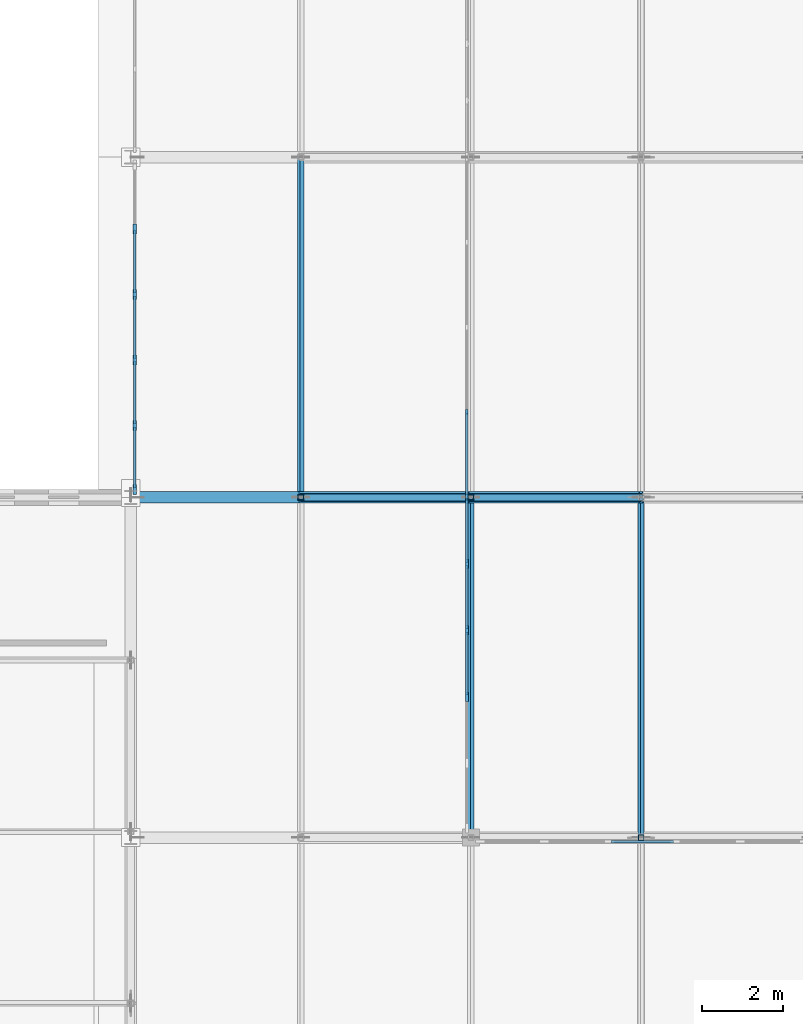
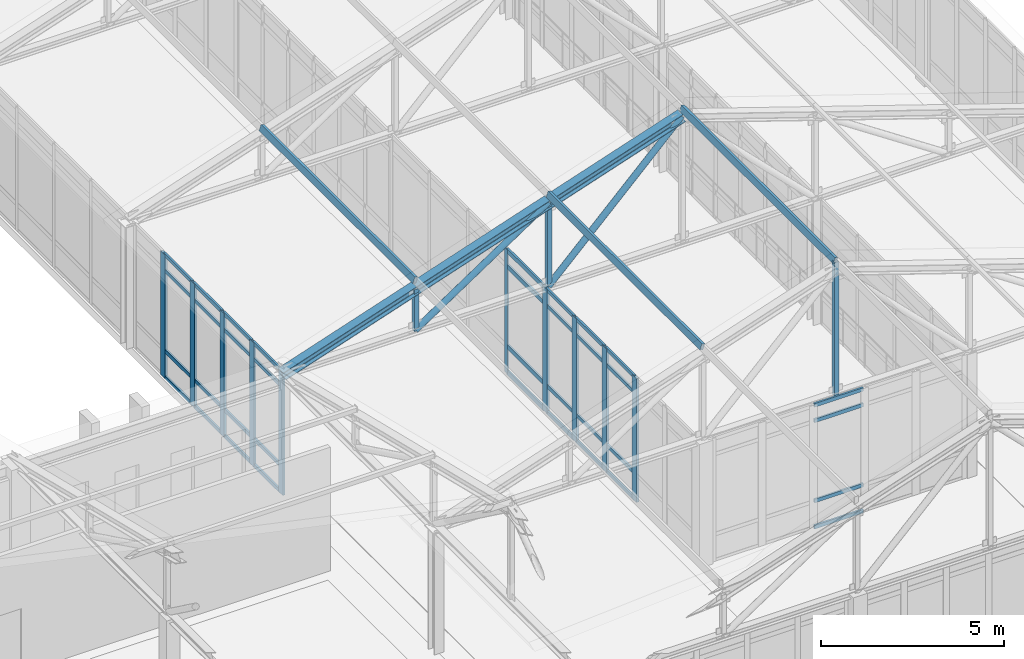
# One storey, part 40 of 192: 58 members, 4 elements without a shape of their own.
"""IFC4 building model written with IfcOpenShell, lengths in metres."""

import ifcopenshell
import ifcopenshell.guid

model = None  # the IFC model being written
_history = None  # IfcOwnerHistory: only IFC2X3 demands one
_inside = {}  # id of a spatial element -> (the spatial element, [elements in it])
_under = {}  # id of a project, library or spatial element -> (it, [spatial elements below it])
_declared = {}  # id of a project -> (the project, [libraries it declares])
_typed = {}  # id of a type object -> (the type object, [elements of that type])
_made_of = {}  # id of a material, layer set ... -> (it, [elements and type objects made of it])


def new_model(schema):
    """Start an empty IFC model of exactly this schema.

    Asked for "IFC4X3", IfcOpenShell would pick the latest addendum, in which some entities
    have other attributes; the version numbers below select the first issue.
    IFC2X3 requires an IfcOwnerHistory on every rooted entity: one is made here for all.
    """
    global model, _history
    if schema == "IFC4X3":
        model = ifcopenshell.file(schema_version=(4, 3, 0, 0))
    else:
        model = ifcopenshell.file(schema=schema)
    _inside.clear()
    _under.clear()
    _declared.clear()
    _typed.clear()
    _made_of.clear()
    _history = None
    if model.schema == "IFC2X3":
        org = make("IfcOrganization", Name="unknown")
        user = make(
            "IfcPersonAndOrganization",
            ThePerson=make("IfcPerson", FamilyName="unknown"),
            TheOrganization=org,
        )
        app = make(
            "IfcApplication",
            ApplicationDeveloper=org,
            Version="unknown",
            ApplicationFullName="unknown",
            ApplicationIdentifier="unknown",
        )
        _history = make(
            "IfcOwnerHistory",
            OwningUser=user,
            OwningApplication=app,
            ChangeAction="ADDED",
            CreationDate=0,
        )
    return model


def make(cls, **values):
    """One entity of the class cls with the attributes given. An attribute that is None is left unset."""
    return model.create_entity(
        cls, **{name: value for name, value in values.items() if value is not None}
    )


def rooted(cls, **values):
    """An entity with a GlobalId (a new one), such as an element, a storey or a relation."""
    return make(cls, GlobalId=ifcopenshell.guid.new(), OwnerHistory=_history, **values)


def si_unit(unit_type, name, prefix=None):
    """IfcSIUnit, for example si_unit("LENGTHUNIT", "METRE", prefix="MILLI")."""
    return make("IfcSIUnit", UnitType=unit_type, Prefix=prefix, Name=name)


def assignment(units):
    """IfcUnitAssignment: the units of a project."""
    return None if units is None else make("IfcUnitAssignment", Units=units)


def point(xyz):
    """IfcCartesianPoint."""
    return None if xyz is None else make("IfcCartesianPoint", Coordinates=xyz)


def direction(xyz):
    """IfcDirection."""
    return None if xyz is None else make("IfcDirection", DirectionRatios=xyz)


def frame(location, z_axis=None, x_axis=None):
    """IfcAxis2Placement3D, a coordinate frame: its origin and axes. An axis left out is left unset."""
    return make(
        "IfcAxis2Placement3D",
        Location=point(location),
        Axis=direction(z_axis),
        RefDirection=direction(x_axis),
    )


def frame_2d(location, x_axis=None):
    """IfcAxis2Placement2D, a coordinate frame in the plane: its origin and x axis."""
    return make(
        "IfcAxis2Placement2D", Location=point(location), RefDirection=direction(x_axis)
    )


def origin():
    """The frame at (0, 0, 0) with its axes left unset."""
    return frame((0.0, 0.0, 0.0))


def origin_2d():
    """The frame at (0, 0) in the plane with its x axis left unset."""
    return frame_2d((0.0, 0.0))


def place(relative_to, where):
    """IfcLocalPlacement: puts the frame where relative to a parent placement (None: the world)."""
    return make(
        "IfcLocalPlacement", PlacementRelTo=relative_to, RelativePlacement=where
    )


def context(
    kind, dimensions, precision=None, world=None, true_north=None, identifier=None
):
    """IfcGeometricRepresentationContext, for example the 3D "Model" context."""
    return make(
        "IfcGeometricRepresentationContext",
        ContextIdentifier=identifier,
        ContextType=kind,
        CoordinateSpaceDimension=dimensions,
        Precision=precision,
        WorldCoordinateSystem=world,
        TrueNorth=true_north,
    )


def subcontext(parent, identifier, kind, view, scale=None):
    """IfcGeometricRepresentationSubContext, for example "Body" below "Model"."""
    return make(
        "IfcGeometricRepresentationSubContext",
        ContextIdentifier=identifier,
        ContextType=kind,
        ParentContext=parent,
        TargetScale=scale,
        TargetView=view,
    )


def project(units=None, contexts=None):
    """IfcProject with its units and contexts."""
    return rooted(
        "IfcProject",
        Name="project",
        RepresentationContexts=contexts,
        UnitsInContext=assignment(units),
    )


def spatial(cls, under=None, at=None, **own):
    """A site, building, storey or space (cls), placed at a placement, below another one or the project."""
    s = rooted(cls, ObjectPlacement=at, **own)
    if under is not None:
        _under.setdefault(under.id(), (under, []))[1].append(s)
    return s


def profile(cls, at=None, kind="AREA", **sizes):
    """A parametric profile (cls). Its sizes go by their IFC names, for example OverallWidth=200.0."""
    return make(cls, ProfileType=kind, Position=at, **sizes)


def rectangle(**sizes):
    """IfcRectangleProfileDef."""
    return profile("IfcRectangleProfileDef", **sizes)


def hollow_rectangle(**sizes):
    """IfcRectangleHollowProfileDef."""
    return profile("IfcRectangleHollowProfileDef", **sizes)


def hollow_circle(**sizes):
    """IfcCircleHollowProfileDef."""
    return profile("IfcCircleHollowProfileDef", **sizes)


def i_section(**sizes):
    """IfcIShapeProfileDef."""
    return profile("IfcIShapeProfileDef", **sizes)


def extrude(swept, where, along, depth):
    """IfcExtrudedAreaSolid: the profile swept, set in the frame where, extruded along a direction by depth."""
    return make(
        "IfcExtrudedAreaSolid",
        SweptArea=swept,
        Position=where,
        ExtrudedDirection=direction(along),
        Depth=depth,
    )


def shape(context_of_items, identifier, shape_type, items):
    """IfcShapeRepresentation: the items that make up one representation, for example the "Body"."""
    return make(
        "IfcShapeRepresentation",
        ContextOfItems=context_of_items,
        RepresentationIdentifier=identifier,
        RepresentationType=shape_type,
        Items=items,
    )


def material(Name=None, Category=None):
    """IfcMaterial."""
    return make("IfcMaterial", Name=Name, Category=Category)


def layer(
    of_material, thickness, ventilated=None, Name=None, Category=None, Priority=None
):
    """IfcMaterialLayer: one layer of a wall or slab, of a material (None: an air gap)."""
    return make(
        "IfcMaterialLayer",
        Material=of_material,
        LayerThickness=thickness,
        IsVentilated=ventilated,
        Name=Name,
        Category=Category,
        Priority=Priority,
    )


def layer_set(layers, Name=None):
    """IfcMaterialLayerSet."""
    return make("IfcMaterialLayerSet", MaterialLayers=layers, LayerSetName=Name)


def material_profile(
    of_material, cross_section, Name=None, Category=None, Priority=None
):
    """IfcMaterialProfile: a cross section and its material."""
    return make(
        "IfcMaterialProfile",
        Name=Name,
        Material=of_material,
        Profile=cross_section,
        Priority=Priority,
        Category=Category,
    )


def profile_set(profiles, Name=None, composite=None):
    """IfcMaterialProfileSet."""
    return make(
        "IfcMaterialProfileSet",
        Name=Name,
        MaterialProfiles=profiles,
        CompositeProfile=composite,
    )


def made_of(thing, what):
    """Note that an element or type object is made of a material, layer set ...; save() writes the relation."""
    if what is not None:
        _made_of.setdefault(what.id(), (what, []))[1].append(thing)
    return thing


def type_object(cls, material=None, **own):
    """A type object (cls), such as IfcWallType, which elements share."""
    return made_of(rooted(cls, **own), material)


def element(
    cls,
    number,
    at=None,
    inside=None,
    cuts=None,
    type_object=None,
    material=None,
    context=None,
    identifier="Body",
    shape_type=None,
    held_by="IfcProductDefinitionShape",
    body=None,
    shapes=None,
    **own,
):
    """One element of the class cls, such as IfcWall. Its Tag is "e" and its number.

    at: its placement. inside: the storey or other place that contains it. cuts: it is an
    opening in that element (IfcRelVoidsElement). A single representation is given by context,
    identifier, shape_type and body (its items); several are given by shapes. held_by: the class
    of the entity that holds the representations. save() writes the other relations.
    """
    e = rooted(cls, Tag="e%d" % number, ObjectPlacement=at, **own)
    if body is not None:
        shapes = [shape(context, identifier, shape_type, body)]
    if shapes is not None:
        e.Representation = make(held_by, Representations=shapes)
    if inside is not None:
        _inside.setdefault(inside.id(), (inside, []))[1].append(e)
    if cuts is not None:
        rooted(
            "IfcRelVoidsElement", RelatingBuildingElement=cuts, RelatedOpeningElement=e
        )
    if type_object is not None:
        _typed.setdefault(type_object.id(), (type_object, []))[1].append(e)
    return made_of(e, material)


def aggregate(whole, parts):
    """IfcRelAggregates: a whole, such as a stair, and the parts it consists of."""
    return rooted("IfcRelAggregates", RelatingObject=whole, RelatedObjects=parts)


def save(model, path):
    """Write the relations noted so far, then the file.

    IfcRelAggregates (storeys below a building ...), IfcRelContainedInSpatialStructure (elements
    in a storey), IfcRelDefinesByType, IfcRelAssociatesMaterial and IfcRelDeclares: one each for
    every whole, place, type object, material and project.
    """
    for whole, parts in _under.values():
        aggregate(whole, parts)
    for where, things in _inside.values():
        rooted(
            "IfcRelContainedInSpatialStructure",
            RelatedElements=things,
            RelatingStructure=where,
        )
    for kind, things in _typed.values():
        rooted("IfcRelDefinesByType", RelatedObjects=things, RelatingType=kind)
    for what, things in _made_of.values():
        rooted("IfcRelAssociatesMaterial", RelatedObjects=things, RelatingMaterial=what)
    for by, libraries in _declared.values():
        rooted("IfcRelDeclares", RelatingContext=by, RelatedDefinitions=libraries)
    model.write(path)


model = new_model("IFC4")

# Units and contexts
model_context = context("Model", 3, precision=1e-05, world=origin(), true_north=direction((0.0, 1.0)))
body_context = subcontext(model_context, "Body", "Model", "MODEL_VIEW")
ifc_project = project(units=[si_unit("LENGTHUNIT", "METRE"), si_unit("AREAUNIT", "SQUARE_METRE"), si_unit("VOLUMEUNIT", "CUBIC_METRE"), si_unit("PLANEANGLEUNIT", "RADIAN"), si_unit("MASSUNIT", "GRAM", prefix="KILO")], contexts=[model_context])

# Site, building, storey
site_placement = place(None, origin())
site = spatial("IfcSite", under=ifc_project, at=site_placement, CompositionType="ELEMENT")
building_placement = place(site_placement, origin())
building = spatial("IfcBuilding", under=site, at=building_placement, Name="Kveldsbrygga Polytechnic", CompositionType="ELEMENT")
storey_placement = place(building_placement, frame((0.0, 0.0, 5.43994140625)))
storey = spatial("IfcBuildingStorey", under=building, at=storey_placement, Name="L01", CompositionType="ELEMENT", Elevation=5.43994140625)

# Curtain wall, members
ifc_material_1 = material(Name="Anodised aluminium AW-6060", Category="aluminium")
ifc_layer_1 = layer(ifc_material_1, 0.199951171875)
ifc_layer_set_1 = layer_set([ifc_layer_1], Name="Anodised aluminium AW-6060")
curtain_wall_type_1 = type_object("IfcCurtainWallType", Name="CW-LANC-E", PredefinedType="USERDEFINED", material=ifc_layer_set_1)
curtain_wall_1_placement = place(storey_placement, origin())
curtain_wall_1 = element("IfcCurtainWall", 1, at=curtain_wall_1_placement, inside=storey, type_object=curtain_wall_type_1, Name="Curtain Wall CW-L01-Y-07-03", ObjectType="UNITISED CURTAIN WALL", PredefinedType="USERDEFINED")
ifc_material_profile_1 = material_profile(ifc_material_1, rectangle(XDim=0.06005859375, YDim=0.139892578125, at=origin_2d()), Name="ALU 60x140")
ifc_profile_set_1 = profile_set([ifc_material_profile_1], Name="Anodised aluminium AW-6060")
member_type_1 = type_object("IfcMemberType", Name="CW-MUL-140", PredefinedType="MULLION", material=ifc_profile_set_1)
member_1_placement = place(storey_placement, frame((58.699951171875, 25.22998046875, 0.0), z_axis=(0.0, 0.0, 1.0), x_axis=(-1.0, 0.0, 0.0)))
member_1 = element("IfcMember", 2, at=member_1_placement, type_object=member_type_1, Name="CW-05 mullion 1", PredefinedType="MULLION", context=body_context, shape_type="SweptSolid", body=[
    extrude(rectangle(XDim=0.06005859375, YDim=0.139892578125, at=origin_2d()), origin(), (0.0, 0.0, 1.0), 4.1201171875),
])
member_2_placement = place(storey_placement, frame((58.699951171875, 27.300048828125, 0.0), z_axis=(0.0, 0.0, 1.0), x_axis=(-1.0, 0.0, 0.0)))
member_2 = element("IfcMember", 3, at=member_2_placement, type_object=member_type_1, Name="CW-05 mullion 2", PredefinedType="MULLION", context=body_context, shape_type="SweptSolid", body=[
    extrude(rectangle(XDim=0.06005859375, YDim=0.139892578125, at=origin_2d()), origin(), (0.0, 0.0, 1.0), 4.1201171875),
])

ifc_layer_2 = layer(ifc_material_1, 0.179931640625)
ifc_layer_set_2 = layer_set([ifc_layer_2], Name="Anodised aluminium AW-6060")
curtain_wall_type_2 = type_object("IfcCurtainWallType", Name="CW-LANC-D", PredefinedType="USERDEFINED", material=ifc_layer_set_2)
curtain_wall_2_placement = place(storey_placement, origin())
curtain_wall_2 = element("IfcCurtainWall", 4, at=curtain_wall_2_placement, inside=storey, type_object=curtain_wall_type_2, Name="Curtain Wall CW-L01-Y-07-02", ObjectType="UNITISED CURTAIN WALL", PredefinedType="USERDEFINED")
ifc_material_profile_2 = material_profile(ifc_material_1, rectangle(XDim=0.074951171875, YDim=0.239990234375, at=origin_2d()), Name="ALU 75x240")
ifc_profile_set_2 = profile_set([ifc_material_profile_2], Name="Anodised aluminium AW-6060")
member_type_2 = type_object("IfcMemberType", Name="CW-MUL-240", PredefinedType="MULLION", material=ifc_profile_set_2)
member_3_placement = place(storey_placement, frame((58.699951171875, 20.277099609375, 0.0), z_axis=(0.0, 0.0, 1.0), x_axis=(-1.0, 0.0, 0.0)))
member_3 = element("IfcMember", 5, at=member_3_placement, type_object=member_type_2, Name="CW-04 mullion 3", PredefinedType="MULLION", context=body_context, shape_type="SweptSolid", body=[
    extrude(rectangle(XDim=0.074951171875, YDim=0.239990234375, at=origin_2d()), origin(), (0.0, 0.0, 1.0), 4.1201171875),
])
member_4_placement = place(storey_placement, frame((58.699951171875, 21.91796875, 0.0), z_axis=(0.0, 0.0, 1.0), x_axis=(-1.0, 0.0, 0.0)))
member_4 = element("IfcMember", 6, at=member_4_placement, type_object=member_type_2, Name="CW-04 mullion 4", PredefinedType="MULLION", context=body_context, shape_type="SweptSolid", body=[
    extrude(rectangle(XDim=0.074951171875, YDim=0.239990234375, at=origin_2d()), origin(), (0.0, 0.0, 1.0), 4.1201171875),
])
member_5_placement = place(storey_placement, frame((58.699951171875, 23.55908203125, 0.0), z_axis=(0.0, 0.0, 1.0), x_axis=(-1.0, 0.0, 0.0)))
member_5 = element("IfcMember", 7, at=member_5_placement, type_object=member_type_2, Name="CW-04 mullion 5", PredefinedType="MULLION", context=body_context, shape_type="SweptSolid", body=[
    extrude(rectangle(XDim=0.074951171875, YDim=0.239990234375, at=origin_2d()), origin(), (0.0, 0.0, 1.0), 4.1201171875),
])
member_6_placement = place(storey_placement, frame((58.699951171875, 25.16259765625, 0.0), z_axis=(0.0, 0.0, 1.0), x_axis=(-1.0, 0.0, 0.0)))
member_6 = element("IfcMember", 8, at=member_6_placement, type_object=member_type_2, Name="CW-04 mullion 6", PredefinedType="MULLION", context=body_context, shape_type="SweptSolid", body=[
    extrude(rectangle(XDim=0.074951171875, YDim=0.239990234375, at=origin_2d()), origin(), (0.0, 0.0, 1.0), 4.1201171875),
])

curtain_wall_3_placement = place(storey_placement, origin())
curtain_wall_3 = element("IfcCurtainWall", 9, at=curtain_wall_3_placement, inside=storey, type_object=curtain_wall_type_2, Name="Curtain Wall CW-L01-Y-06-03", ObjectType="UNITISED CURTAIN WALL", PredefinedType="USERDEFINED")
member_7_placement = place(storey_placement, frame((50.5, 25.392578125, 0.0), z_axis=(0.0, 0.0, 1.0), x_axis=(-1.0, 0.0, 0.0)))
member_7 = element("IfcMember", 10, at=member_7_placement, type_object=member_type_2, Name="CW-04 mullion 1", PredefinedType="MULLION", context=body_context, shape_type="SweptSolid", body=[
    extrude(rectangle(XDim=0.074951171875, YDim=0.239990234375, at=origin_2d()), origin(), (0.0, 0.0, 1.0), 4.1201171875),
])
member_8_placement = place(storey_placement, frame((50.5, 26.972900390625, 0.0), z_axis=(0.0, 0.0, 1.0), x_axis=(-1.0, 0.0, 0.0)))
member_8 = element("IfcMember", 11, at=member_8_placement, type_object=member_type_2, Name="CW-04 mullion 2", PredefinedType="MULLION", context=body_context, shape_type="SweptSolid", body=[
    extrude(rectangle(XDim=0.074951171875, YDim=0.239990234375, at=origin_2d()), origin(), (0.0, 0.0, 1.0), 4.1201171875),
])
member_9_placement = place(storey_placement, frame((50.5, 28.591064453125, 0.0), z_axis=(0.0, 0.0, 1.0), x_axis=(-1.0, 0.0, 0.0)))
member_9 = element("IfcMember", 12, at=member_9_placement, type_object=member_type_2, Name="CW-04 mullion 3", PredefinedType="MULLION", context=body_context, shape_type="SweptSolid", body=[
    extrude(rectangle(XDim=0.074951171875, YDim=0.239990234375, at=origin_2d()), origin(), (0.0, 0.0, 1.0), 4.1201171875),
])
member_10_placement = place(storey_placement, frame((50.5, 30.208984375, 0.0), z_axis=(0.0, 0.0, 1.0), x_axis=(-1.0, 0.0, 0.0)))
member_10 = element("IfcMember", 13, at=member_10_placement, type_object=member_type_2, Name="CW-04 mullion 4", PredefinedType="MULLION", context=body_context, shape_type="SweptSolid", body=[
    extrude(rectangle(XDim=0.074951171875, YDim=0.239990234375, at=origin_2d()), origin(), (0.0, 0.0, 1.0), 4.1201171875),
])
member_11_placement = place(storey_placement, frame((50.5, 31.826904296875, 0.0), z_axis=(0.0, 0.0, 1.0), x_axis=(-1.0, 0.0, 0.0)))
member_11 = element("IfcMember", 14, at=member_11_placement, type_object=member_type_2, Name="CW-04 mullion 5", PredefinedType="MULLION", context=body_context, shape_type="SweptSolid", body=[
    extrude(rectangle(XDim=0.074951171875, YDim=0.239990234375, at=origin_2d()), origin(), (0.0, 0.0, 1.0), 4.1201171875),
])

# Member
ifc_material_profile_3 = material_profile(ifc_material_1, rectangle(XDim=0.06005859375, YDim=0.1201171875, at=origin_2d()), Name="ALU 60x120")
ifc_profile_set_3 = profile_set([ifc_material_profile_3], Name="Anodised aluminium AW-6060")
member_type_3 = type_object("IfcMemberType", Name="CW-TRN-120", PredefinedType="USERDEFINED", material=ifc_profile_set_3)
member_12_placement = place(storey_placement, frame((58.699951171875, 20.314453125, 0.030029296875), z_axis=(0.0, 1.0, 0.0), x_axis=(-1.0, 0.0, 0.0)))
member_12 = element("IfcMember", 15, at=member_12_placement, type_object=member_type_3, Name="CW-04 transom 3.1", ObjectType="TRANSOM", PredefinedType="USERDEFINED", context=body_context, shape_type="SweptSolid", body=[
    extrude(rectangle(XDim=0.06005859375, YDim=0.1201171875, at=origin_2d()), origin(), (0.0, 0.0, 1.0), 1.566162109375),
])

member_13_placement = place(storey_placement, frame((58.699951171875, 20.314453125, 0.900146484375), z_axis=(0.0, 1.0, 0.0), x_axis=(-1.0, 0.0, 0.0)))
member_13 = element("IfcMember", 16, at=member_13_placement, type_object=member_type_3, Name="CW-04 transom 3.2", ObjectType="TRANSOM", PredefinedType="USERDEFINED", context=body_context, shape_type="SweptSolid", body=[
    extrude(rectangle(XDim=0.06005859375, YDim=0.1201171875, at=origin_2d()), origin(), (0.0, 0.0, 1.0), 1.566162109375),
])

member_14_placement = place(storey_placement, frame((58.699951171875, 20.314453125, 3.570068359375), z_axis=(0.0, 1.0, 0.0), x_axis=(-1.0, 0.0, 0.0)))
member_14 = element("IfcMember", 17, at=member_14_placement, type_object=member_type_3, Name="CW-04 transom 3.3", ObjectType="TRANSOM", PredefinedType="USERDEFINED", context=body_context, shape_type="SweptSolid", body=[
    extrude(rectangle(XDim=0.06005859375, YDim=0.1201171875, at=origin_2d()), origin(), (0.0, 0.0, 1.0), 1.566162109375),
])

member_15_placement = place(storey_placement, frame((58.699951171875, 20.314453125, 4.090087890625), z_axis=(0.0, 1.0, 0.0), x_axis=(-1.0, 0.0, 0.0)))
member_15 = element("IfcMember", 18, at=member_15_placement, type_object=member_type_3, Name="CW-04 transom 3.4", ObjectType="TRANSOM", PredefinedType="USERDEFINED", context=body_context, shape_type="SweptSolid", body=[
    extrude(rectangle(XDim=0.06005859375, YDim=0.1201171875, at=origin_2d()), origin(), (0.0, 0.0, 1.0), 1.566162109375),
])

member_16_placement = place(storey_placement, frame((58.699951171875, 21.95556640625, 0.030029296875), z_axis=(0.0, 1.0, 0.0), x_axis=(-1.0, 0.0, 0.0)))
member_16 = element("IfcMember", 19, at=member_16_placement, type_object=member_type_3, Name="CW-04 transom 4.1", ObjectType="TRANSOM", PredefinedType="USERDEFINED", context=body_context, shape_type="SweptSolid", body=[
    extrude(rectangle(XDim=0.06005859375, YDim=0.1201171875, at=origin_2d()), origin(), (0.0, 0.0, 1.0), 1.56591796875),
])

member_17_placement = place(storey_placement, frame((58.699951171875, 21.95556640625, 0.900146484375), z_axis=(0.0, 1.0, 0.0), x_axis=(-1.0, 0.0, 0.0)))
member_17 = element("IfcMember", 20, at=member_17_placement, type_object=member_type_3, Name="CW-04 transom 4.2", ObjectType="TRANSOM", PredefinedType="USERDEFINED", context=body_context, shape_type="SweptSolid", body=[
    extrude(rectangle(XDim=0.06005859375, YDim=0.1201171875, at=origin_2d()), origin(), (0.0, 0.0, 1.0), 1.56591796875),
])

member_18_placement = place(storey_placement, frame((58.699951171875, 21.95556640625, 3.570068359375), z_axis=(0.0, 1.0, 0.0), x_axis=(-1.0, 0.0, 0.0)))
member_18 = element("IfcMember", 21, at=member_18_placement, type_object=member_type_3, Name="CW-04 transom 4.3", ObjectType="TRANSOM", PredefinedType="USERDEFINED", context=body_context, shape_type="SweptSolid", body=[
    extrude(rectangle(XDim=0.06005859375, YDim=0.1201171875, at=origin_2d()), origin(), (0.0, 0.0, 1.0), 1.56591796875),
])

member_19_placement = place(storey_placement, frame((58.699951171875, 21.95556640625, 4.090087890625), z_axis=(0.0, 1.0, 0.0), x_axis=(-1.0, 0.0, 0.0)))
member_19 = element("IfcMember", 22, at=member_19_placement, type_object=member_type_3, Name="CW-04 transom 4.4", ObjectType="TRANSOM", PredefinedType="USERDEFINED", context=body_context, shape_type="SweptSolid", body=[
    extrude(rectangle(XDim=0.06005859375, YDim=0.1201171875, at=origin_2d()), origin(), (0.0, 0.0, 1.0), 1.56591796875),
])

member_20_placement = place(storey_placement, frame((58.699951171875, 23.596435546875, 0.030029296875), z_axis=(0.0, 1.0, 0.0), x_axis=(-1.0, 0.0, 0.0)))
member_20 = element("IfcMember", 23, at=member_20_placement, type_object=member_type_3, Name="CW-04 transom 5.1", ObjectType="TRANSOM", PredefinedType="USERDEFINED", context=body_context, shape_type="SweptSolid", body=[
    extrude(rectangle(XDim=0.06005859375, YDim=0.1201171875, at=origin_2d()), origin(), (0.0, 0.0, 1.0), 1.528564453125),
])

member_21_placement = place(storey_placement, frame((58.699951171875, 23.596435546875, 0.900146484375), z_axis=(0.0, 1.0, 0.0), x_axis=(-1.0, 0.0, 0.0)))
member_21 = element("IfcMember", 24, at=member_21_placement, type_object=member_type_3, Name="CW-04 transom 5.2", ObjectType="TRANSOM", PredefinedType="USERDEFINED", context=body_context, shape_type="SweptSolid", body=[
    extrude(rectangle(XDim=0.06005859375, YDim=0.1201171875, at=origin_2d()), origin(), (0.0, 0.0, 1.0), 1.528564453125),
])

member_22_placement = place(storey_placement, frame((58.699951171875, 23.596435546875, 3.570068359375), z_axis=(0.0, 1.0, 0.0), x_axis=(-1.0, 0.0, 0.0)))
member_22 = element("IfcMember", 25, at=member_22_placement, type_object=member_type_3, Name="CW-04 transom 5.3", ObjectType="TRANSOM", PredefinedType="USERDEFINED", context=body_context, shape_type="SweptSolid", body=[
    extrude(rectangle(XDim=0.06005859375, YDim=0.1201171875, at=origin_2d()), origin(), (0.0, 0.0, 1.0), 1.528564453125),
])

member_23_placement = place(storey_placement, frame((58.699951171875, 23.596435546875, 4.090087890625), z_axis=(0.0, 1.0, 0.0), x_axis=(-1.0, 0.0, 0.0)))
member_23 = element("IfcMember", 26, at=member_23_placement, type_object=member_type_3, Name="CW-04 transom 5.4", ObjectType="TRANSOM", PredefinedType="USERDEFINED", context=body_context, shape_type="SweptSolid", body=[
    extrude(rectangle(XDim=0.06005859375, YDim=0.1201171875, at=origin_2d()), origin(), (0.0, 0.0, 1.0), 1.528564453125),
])

aggregate(curtain_wall_2, [member_3, member_4, member_5, member_6, member_12, member_13, member_14, member_15, member_16, member_17, member_18, member_19, member_20, member_21, member_22, member_23])

member_24_placement = place(storey_placement, frame((50.5, 25.429931640625, 0.030029296875), z_axis=(0.0, 1.0, 0.0), x_axis=(-1.0, 0.0, 0.0)))
member_24 = element("IfcMember", 27, at=member_24_placement, type_object=member_type_3, Name="CW-04 transom 1.1", ObjectType="TRANSOM", PredefinedType="USERDEFINED", context=body_context, shape_type="SweptSolid", body=[
    extrude(rectangle(XDim=0.06005859375, YDim=0.1201171875, at=origin_2d()), origin(), (0.0, 0.0, 1.0), 1.505615234375),
])

member_25_placement = place(storey_placement, frame((50.5, 25.429931640625, 0.900146484375), z_axis=(0.0, 1.0, 0.0), x_axis=(-1.0, 0.0, 0.0)))
member_25 = element("IfcMember", 28, at=member_25_placement, type_object=member_type_3, Name="CW-04 transom 1.2", ObjectType="TRANSOM", PredefinedType="USERDEFINED", context=body_context, shape_type="SweptSolid", body=[
    extrude(rectangle(XDim=0.06005859375, YDim=0.1201171875, at=origin_2d()), origin(), (0.0, 0.0, 1.0), 1.505615234375),
])

member_26_placement = place(storey_placement, frame((50.5, 25.429931640625, 3.570068359375), z_axis=(0.0, 1.0, 0.0), x_axis=(-1.0, 0.0, 0.0)))
member_26 = element("IfcMember", 29, at=member_26_placement, type_object=member_type_3, Name="CW-04 transom 1.3", ObjectType="TRANSOM", PredefinedType="USERDEFINED", context=body_context, shape_type="SweptSolid", body=[
    extrude(rectangle(XDim=0.06005859375, YDim=0.1201171875, at=origin_2d()), origin(), (0.0, 0.0, 1.0), 1.505615234375),
])

member_27_placement = place(storey_placement, frame((50.5, 25.429931640625, 4.090087890625), z_axis=(0.0, 1.0, 0.0), x_axis=(-1.0, 0.0, 0.0)))
member_27 = element("IfcMember", 30, at=member_27_placement, type_object=member_type_3, Name="CW-04 transom 1.4", ObjectType="TRANSOM", PredefinedType="USERDEFINED", context=body_context, shape_type="SweptSolid", body=[
    extrude(rectangle(XDim=0.06005859375, YDim=0.1201171875, at=origin_2d()), origin(), (0.0, 0.0, 1.0), 1.505615234375),
])

member_28_placement = place(storey_placement, frame((50.5, 27.010498046875, 0.030029296875), z_axis=(0.0, 1.0, 0.0), x_axis=(-1.0, 0.0, 0.0)))
member_28 = element("IfcMember", 31, at=member_28_placement, type_object=member_type_3, Name="CW-04 transom 2.1", ObjectType="TRANSOM", PredefinedType="USERDEFINED", context=body_context, shape_type="SweptSolid", body=[
    extrude(rectangle(XDim=0.06005859375, YDim=0.1201171875, at=origin_2d()), origin(), (0.0, 0.0, 1.0), 1.54296875),
])

member_29_placement = place(storey_placement, frame((50.5, 27.010498046875, 0.900146484375), z_axis=(0.0, 1.0, 0.0), x_axis=(-1.0, 0.0, 0.0)))
member_29 = element("IfcMember", 32, at=member_29_placement, type_object=member_type_3, Name="CW-04 transom 2.2", ObjectType="TRANSOM", PredefinedType="USERDEFINED", context=body_context, shape_type="SweptSolid", body=[
    extrude(rectangle(XDim=0.06005859375, YDim=0.1201171875, at=origin_2d()), origin(), (0.0, 0.0, 1.0), 1.54296875),
])

member_30_placement = place(storey_placement, frame((50.5, 27.010498046875, 3.570068359375), z_axis=(0.0, 1.0, 0.0), x_axis=(-1.0, 0.0, 0.0)))
member_30 = element("IfcMember", 33, at=member_30_placement, type_object=member_type_3, Name="CW-04 transom 2.3", ObjectType="TRANSOM", PredefinedType="USERDEFINED", context=body_context, shape_type="SweptSolid", body=[
    extrude(rectangle(XDim=0.06005859375, YDim=0.1201171875, at=origin_2d()), origin(), (0.0, 0.0, 1.0), 1.54296875),
])

member_31_placement = place(storey_placement, frame((50.5, 27.010498046875, 4.090087890625), z_axis=(0.0, 1.0, 0.0), x_axis=(-1.0, 0.0, 0.0)))
member_31 = element("IfcMember", 34, at=member_31_placement, type_object=member_type_3, Name="CW-04 transom 2.4", ObjectType="TRANSOM", PredefinedType="USERDEFINED", context=body_context, shape_type="SweptSolid", body=[
    extrude(rectangle(XDim=0.06005859375, YDim=0.1201171875, at=origin_2d()), origin(), (0.0, 0.0, 1.0), 1.54296875),
])

member_32_placement = place(storey_placement, frame((50.5, 28.62841796875, 0.030029296875), z_axis=(0.0, 1.0, 0.0), x_axis=(-1.0, 0.0, 0.0)))
member_32 = element("IfcMember", 35, at=member_32_placement, type_object=member_type_3, Name="CW-04 transom 3.1", ObjectType="TRANSOM", PredefinedType="USERDEFINED", context=body_context, shape_type="SweptSolid", body=[
    extrude(rectangle(XDim=0.06005859375, YDim=0.1201171875, at=origin_2d()), origin(), (0.0, 0.0, 1.0), 1.54296875),
])

member_33_placement = place(storey_placement, frame((50.5, 28.62841796875, 0.900146484375), z_axis=(0.0, 1.0, 0.0), x_axis=(-1.0, 0.0, 0.0)))
member_33 = element("IfcMember", 36, at=member_33_placement, type_object=member_type_3, Name="CW-04 transom 3.2", ObjectType="TRANSOM", PredefinedType="USERDEFINED", context=body_context, shape_type="SweptSolid", body=[
    extrude(rectangle(XDim=0.06005859375, YDim=0.1201171875, at=origin_2d()), origin(), (0.0, 0.0, 1.0), 1.54296875),
])

member_34_placement = place(storey_placement, frame((50.5, 28.62841796875, 3.570068359375), z_axis=(0.0, 1.0, 0.0), x_axis=(-1.0, 0.0, 0.0)))
member_34 = element("IfcMember", 37, at=member_34_placement, type_object=member_type_3, Name="CW-04 transom 3.3", ObjectType="TRANSOM", PredefinedType="USERDEFINED", context=body_context, shape_type="SweptSolid", body=[
    extrude(rectangle(XDim=0.06005859375, YDim=0.1201171875, at=origin_2d()), origin(), (0.0, 0.0, 1.0), 1.54296875),
])

member_35_placement = place(storey_placement, frame((50.5, 28.62841796875, 4.090087890625), z_axis=(0.0, 1.0, 0.0), x_axis=(-1.0, 0.0, 0.0)))
member_35 = element("IfcMember", 38, at=member_35_placement, type_object=member_type_3, Name="CW-04 transom 3.4", ObjectType="TRANSOM", PredefinedType="USERDEFINED", context=body_context, shape_type="SweptSolid", body=[
    extrude(rectangle(XDim=0.06005859375, YDim=0.1201171875, at=origin_2d()), origin(), (0.0, 0.0, 1.0), 1.54296875),
])

member_36_placement = place(storey_placement, frame((50.5, 30.24658203125, 0.030029296875), z_axis=(0.0, 1.0, 0.0), x_axis=(-1.0, 0.0, 0.0)))
member_36 = element("IfcMember", 39, at=member_36_placement, type_object=member_type_3, Name="CW-04 transom 4.1", ObjectType="TRANSOM", PredefinedType="USERDEFINED", context=body_context, shape_type="SweptSolid", body=[
    extrude(rectangle(XDim=0.06005859375, YDim=0.1201171875, at=origin_2d()), origin(), (0.0, 0.0, 1.0), 1.54296875),
])

member_37_placement = place(storey_placement, frame((50.5, 30.24658203125, 0.900146484375), z_axis=(0.0, 1.0, 0.0), x_axis=(-1.0, 0.0, 0.0)))
member_37 = element("IfcMember", 40, at=member_37_placement, type_object=member_type_3, Name="CW-04 transom 4.2", ObjectType="TRANSOM", PredefinedType="USERDEFINED", context=body_context, shape_type="SweptSolid", body=[
    extrude(rectangle(XDim=0.06005859375, YDim=0.1201171875, at=origin_2d()), origin(), (0.0, 0.0, 1.0), 1.54296875),
])

member_38_placement = place(storey_placement, frame((50.5, 30.24658203125, 3.570068359375), z_axis=(0.0, 1.0, 0.0), x_axis=(-1.0, 0.0, 0.0)))
member_38 = element("IfcMember", 41, at=member_38_placement, type_object=member_type_3, Name="CW-04 transom 4.3", ObjectType="TRANSOM", PredefinedType="USERDEFINED", context=body_context, shape_type="SweptSolid", body=[
    extrude(rectangle(XDim=0.06005859375, YDim=0.1201171875, at=origin_2d()), origin(), (0.0, 0.0, 1.0), 1.54296875),
])

member_39_placement = place(storey_placement, frame((50.5, 30.24658203125, 4.090087890625), z_axis=(0.0, 1.0, 0.0), x_axis=(-1.0, 0.0, 0.0)))
member_39 = element("IfcMember", 42, at=member_39_placement, type_object=member_type_3, Name="CW-04 transom 4.4", ObjectType="TRANSOM", PredefinedType="USERDEFINED", context=body_context, shape_type="SweptSolid", body=[
    extrude(rectangle(XDim=0.06005859375, YDim=0.1201171875, at=origin_2d()), origin(), (0.0, 0.0, 1.0), 1.54296875),
])

aggregate(curtain_wall_3, [member_7, member_8, member_9, member_10, member_11, member_24, member_25, member_26, member_27, member_28, member_29, member_30, member_31, member_32, member_33, member_34, member_35, member_36, member_37, member_38, member_39])

# Curtain wall, members
curtain_wall_4_placement = place(storey_placement, origin())
curtain_wall_4 = element("IfcCurtainWall", 43, at=curtain_wall_4_placement, inside=storey, type_object=curtain_wall_type_2, Name="Curtain Wall CW-L01-X-07-02", ObjectType="UNITISED CURTAIN WALL", PredefinedType="USERDEFINED")
member_40_placement = place(storey_placement, frame((62.260498046875, 16.699951171875, 0.030029296875), z_axis=(1.0, 0.0, 0.0), x_axis=(0.0, 1.0, 0.0)))
member_40 = element("IfcMember", 44, at=member_40_placement, type_object=member_type_3, Name="CW-04 transom 3.1", ObjectType="TRANSOM", PredefinedType="USERDEFINED", context=body_context, shape_type="SweptSolid", body=[
    extrude(rectangle(XDim=0.06005859375, YDim=0.1201171875, at=origin_2d()), origin(), (0.0, 0.0, 1.0), 1.5390625),
])
member_41_placement = place(storey_placement, frame((62.260498046875, 16.699951171875, 0.900146484375), z_axis=(1.0, 0.0, 0.0), x_axis=(0.0, 1.0, 0.0)))
member_41 = element("IfcMember", 45, at=member_41_placement, type_object=member_type_3, Name="CW-04 transom 3.2", ObjectType="TRANSOM", PredefinedType="USERDEFINED", context=body_context, shape_type="SweptSolid", body=[
    extrude(rectangle(XDim=0.06005859375, YDim=0.1201171875, at=origin_2d()), origin(), (0.0, 0.0, 1.0), 1.5390625),
])
member_42_placement = place(storey_placement, frame((62.260498046875, 16.699951171875, 3.570068359375), z_axis=(1.0, 0.0, 0.0), x_axis=(0.0, 1.0, 0.0)))
member_42 = element("IfcMember", 46, at=member_42_placement, type_object=member_type_3, Name="CW-04 transom 3.3", ObjectType="TRANSOM", PredefinedType="USERDEFINED", context=body_context, shape_type="SweptSolid", body=[
    extrude(rectangle(XDim=0.06005859375, YDim=0.1201171875, at=origin_2d()), origin(), (0.0, 0.0, 1.0), 1.5390625),
])
member_43_placement = place(storey_placement, frame((62.260498046875, 16.699951171875, 4.090087890625), z_axis=(1.0, 0.0, 0.0), x_axis=(0.0, 1.0, 0.0)))
member_43 = element("IfcMember", 47, at=member_43_placement, type_object=member_type_3, Name="CW-04 transom 3.4", ObjectType="TRANSOM", PredefinedType="USERDEFINED", context=body_context, shape_type="SweptSolid", body=[
    extrude(rectangle(XDim=0.06005859375, YDim=0.1201171875, at=origin_2d()), origin(), (0.0, 0.0, 1.0), 1.5390625),
])
aggregate(curtain_wall_4, [member_40, member_41, member_42, member_43])

# Member
ifc_material_profile_4 = material_profile(ifc_material_1, rectangle(XDim=0.06005859375, YDim=0.14990234375, at=origin_2d()), Name="ALU 60x150")
ifc_profile_set_4 = profile_set([ifc_material_profile_4], Name="Anodised aluminium AW-6060")
member_type_4 = type_object("IfcMemberType", Name="CW-TRN-150", PredefinedType="USERDEFINED", material=ifc_profile_set_4)
member_44_placement = place(storey_placement, frame((58.699951171875, 25.260009765625, 0.030029296875), z_axis=(0.0, 1.0, 0.0), x_axis=(-1.0, 0.0, 0.0)))
member_44 = element("IfcMember", 48, at=member_44_placement, type_object=member_type_4, Name="CW-05 transom 1.1", ObjectType="TRANSOM", PredefinedType="USERDEFINED", context=body_context, shape_type="SweptSolid", body=[
    extrude(rectangle(XDim=0.06005859375, YDim=0.14990234375, at=origin_2d()), origin(), (0.0, 0.0, 1.0), 2.010009765625),
])

member_45_placement = place(storey_placement, frame((58.699951171875, 25.260009765625, 0.900146484375), z_axis=(0.0, 1.0, 0.0), x_axis=(-1.0, 0.0, 0.0)))
member_45 = element("IfcMember", 49, at=member_45_placement, type_object=member_type_4, Name="CW-05 transom 1.2", ObjectType="TRANSOM", PredefinedType="USERDEFINED", context=body_context, shape_type="SweptSolid", body=[
    extrude(rectangle(XDim=0.06005859375, YDim=0.14990234375, at=origin_2d()), origin(), (0.0, 0.0, 1.0), 2.010009765625),
])

member_46_placement = place(storey_placement, frame((58.699951171875, 25.260009765625, 3.570068359375), z_axis=(0.0, 1.0, 0.0), x_axis=(-1.0, 0.0, 0.0)))
member_46 = element("IfcMember", 50, at=member_46_placement, type_object=member_type_4, Name="CW-05 transom 1.3", ObjectType="TRANSOM", PredefinedType="USERDEFINED", context=body_context, shape_type="SweptSolid", body=[
    extrude(rectangle(XDim=0.06005859375, YDim=0.14990234375, at=origin_2d()), origin(), (0.0, 0.0, 1.0), 2.010009765625),
])

member_47_placement = place(storey_placement, frame((58.699951171875, 25.260009765625, 4.090087890625), z_axis=(0.0, 1.0, 0.0), x_axis=(-1.0, 0.0, 0.0)))
member_47 = element("IfcMember", 51, at=member_47_placement, type_object=member_type_4, Name="CW-05 transom 1.4", ObjectType="TRANSOM", PredefinedType="USERDEFINED", context=body_context, shape_type="SweptSolid", body=[
    extrude(rectangle(XDim=0.06005859375, YDim=0.14990234375, at=origin_2d()), origin(), (0.0, 0.0, 1.0), 2.010009765625),
])

aggregate(curtain_wall_1, [member_1, member_2, member_44, member_45, member_46, member_47])

# Members
ifc_material_2 = material(Name="Steel S355", Category="steel")
ifc_material_profile_5 = material_profile(ifc_material_2, hollow_rectangle(XDim=0.10009765625, YDim=0.199951171875, WallThickness=0.010009765625, at=origin_2d()), Name="RHS 200x100x10.0")
ifc_profile_set_5 = profile_set([ifc_material_profile_5], Name="Steel S355")
member_type_5 = type_object("IfcMemberType", Name="PRL-RHS200", PredefinedType="PURLIN", material=ifc_profile_set_5)
for number, where, z_axis, x_axis, name in (
    (52, (58.800048828125, 16.800048828125, 7.173095703125), (0.0, 1.0, 0.0), (-0.948683567514, 0.0, 0.316226957624), "Roof Purlin V5C-PRL-2-2"),
    (53, (63.0, 16.800048828125, 8.572998046875), (0.0, 1.0, 0.0), (-0.948683567514, 0.0, 0.316226957624), "Roof Purlin V5C-PRL-2-3"),
):
    element("IfcMember", number, at=place(storey_placement, frame(where, z_axis=z_axis, x_axis=x_axis)), inside=storey, type_object=member_type_5, Name=name, PredefinedType="PURLIN", context=body_context, shape_type="SweptSolid", body=[
        extrude(hollow_rectangle(XDim=0.10009765625, YDim=0.199951171875, WallThickness=0.010009765625, at=origin_2d()), origin(), (0.0, 0.0, 1.0), 8.39990234375),
    ])
member_48_placement = place(storey_placement, frame((54.60009765625, 25.199951171875, 5.77294921875), z_axis=(0.0, 1.0, 0.0), x_axis=(-0.948683567514, 0.0, 0.316226957624)))
element("IfcMember", 54, at=member_48_placement, inside=storey, type_object=member_type_5, Name="Roof Purlin V5C-PRL-3-1", PredefinedType="PURLIN", context=body_context, shape_type="SweptSolid", body=[
    extrude(hollow_rectangle(XDim=0.10009765625, YDim=0.199951171875, WallThickness=0.010009765625, at=origin_2d()), origin(), (0.0, 0.0, 1.0), 8.400146484375),
])
ifc_material_profile_6 = material_profile(ifc_material_2, hollow_circle(Radius=0.096923828125, WallThickness=0.010009765625, at=origin_2d()), Name="CHS 193.7x10.0")
ifc_profile_set_6 = profile_set([ifc_material_profile_6], Name="Steel S355")
member_type_6 = type_object("IfcMemberType", Name="TR-DIAG-CHS194", PredefinedType="BRACE", material=ifc_profile_set_6)
member_49_placement = place(storey_placement, frame((54.60009765625, 25.199951171875, 4.1201171875), z_axis=(0.832042853317, 0.0, 0.554711357594), x_axis=(0.0, 1.0, 0.0)))
element("IfcMember", 55, at=member_49_placement, inside=storey, type_object=member_type_6, Name="Truss Diagonal V5C-T03-DG-2", PredefinedType="BRACE", context=body_context, shape_type="SweptSolid", body=[
    extrude(hollow_circle(Radius=0.096923828125, WallThickness=0.010009765625, at=origin_2d()), origin(), (0.0, 0.0, 1.0), 5.0478515625),
])
member_50_placement = place(storey_placement, frame((58.800048828125, 25.199951171875, 4.1201171875), z_axis=(0.707106781187, 0.0, 0.707106781187), x_axis=(0.0, 1.0, 0.0)))
element("IfcMember", 56, at=member_50_placement, inside=storey, type_object=member_type_6, Name="Truss Diagonal V5C-T03-DG-3", PredefinedType="BRACE", context=body_context, shape_type="SweptSolid", body=[
    extrude(hollow_circle(Radius=0.096923828125, WallThickness=0.010009765625, at=origin_2d()), origin(), (0.0, 0.0, 1.0), 5.939697265625),
])
ifc_material_profile_7 = material_profile(ifc_material_2, hollow_rectangle(XDim=0.139892578125, YDim=0.139892578125, WallThickness=0.008056640625, at=origin_2d()), Name="SHS 140x140x8.0")
ifc_profile_set_7 = profile_set([ifc_material_profile_7], Name="Steel S355")
member_type_7 = type_object("IfcMemberType", Name="TR-POST-SHS140", PredefinedType="STRUT", material=ifc_profile_set_7)
member_51_placement = place(storey_placement, frame((63.0, 16.800048828125, 4.1201171875), z_axis=(0.0, 0.0, 1.0), x_axis=(1.0, 0.0, 0.0)))
element("IfcMember", 57, at=member_51_placement, inside=storey, type_object=member_type_7, Name="Truss Vertical V5C-T02-VT-3", PredefinedType="STRUT", context=body_context, shape_type="SweptSolid", body=[
    extrude(hollow_rectangle(XDim=0.139892578125, YDim=0.139892578125, WallThickness=0.008056640625, at=origin_2d()), origin(), (0.0, 0.0, 1.0), 4.452880859375),
])
member_52_placement = place(storey_placement, frame((54.60009765625, 25.199951171875, 4.1201171875), z_axis=(0.0, 0.0, 1.0), x_axis=(1.0, 0.0, 0.0)))
element("IfcMember", 58, at=member_52_placement, inside=storey, type_object=member_type_7, Name="Truss Vertical V5C-T03-VT-1", PredefinedType="STRUT", context=body_context, shape_type="SweptSolid", body=[
    extrude(hollow_rectangle(XDim=0.139892578125, YDim=0.139892578125, WallThickness=0.008056640625, at=origin_2d()), origin(), (0.0, 0.0, 1.0), 1.39990234375),
])
member_53_placement = place(storey_placement, frame((58.800048828125, 25.199951171875, 4.1201171875), z_axis=(0.0, 0.0, 1.0), x_axis=(1.0, 0.0, 0.0)))
element("IfcMember", 59, at=member_53_placement, inside=storey, type_object=member_type_7, Name="Truss Vertical V5C-T03-VT-2", PredefinedType="STRUT", context=body_context, shape_type="SweptSolid", body=[
    extrude(hollow_rectangle(XDim=0.139892578125, YDim=0.139892578125, WallThickness=0.008056640625, at=origin_2d()), origin(), (0.0, 0.0, 1.0), 2.800048828125),
])
ifc_material_profile_8 = material_profile(ifc_material_2, i_section(OverallWidth=0.280029296875, OverallDepth=0.280029296875, WebThickness=0.010498046875, FlangeThickness=0.01806640625, FilletRadius=0.02392578125, at=origin_2d()), Name="HEB 280")
ifc_profile_set_8 = profile_set([ifc_material_profile_8], Name="Steel S355")
member_type_8 = type_object("IfcMemberType", Name="TR-TOP-HEB280", PredefinedType="CHORD", material=ifc_profile_set_8)
for number, where, z_axis, x_axis, name in (
    (60, (50.39990234375, 25.199951171875, 4.1201171875), (0.948694326238, 0.0, 0.316194679531), (0.0, 1.0, 0.0), "Truss Top Chord V5C-T03-TC-1"),
    (61, (54.60009765625, 25.199951171875, 5.52001953125), (0.948672268324, 0.0, 0.316260853272), (0.0, 1.0, 0.0), "Truss Top Chord V5C-T03-TC-2"),
):
    element("IfcMember", number, at=place(storey_placement, frame(where, z_axis=z_axis, x_axis=x_axis)), inside=storey, type_object=member_type_8, Name=name, PredefinedType="CHORD", context=body_context, shape_type="SweptSolid", body=[
        extrude(i_section(OverallWidth=0.280029296875, OverallDepth=0.280029296875, WebThickness=0.010498046875, FlangeThickness=0.01806640625, FilletRadius=0.02392578125, at=origin_2d()), origin(), (0.0, 0.0, 1.0), 4.42724609375),
    ])
member_54_placement = place(storey_placement, frame((58.800048828125, 25.199951171875, 6.920166015625), z_axis=(0.948688812577, 0.0, 0.316211221956), x_axis=(0.0, 1.0, 0.0)))
element("IfcMember", 62, at=member_54_placement, inside=storey, type_object=member_type_8, Name="Truss Top Chord V5C-T03-TC-3", PredefinedType="CHORD", context=body_context, shape_type="SweptSolid", body=[
    extrude(i_section(OverallWidth=0.280029296875, OverallDepth=0.280029296875, WebThickness=0.010498046875, FlangeThickness=0.01806640625, FilletRadius=0.02392578125, at=origin_2d()), origin(), (0.0, 0.0, 1.0), 4.427001953125),
])

save(model, "model.ifc")
